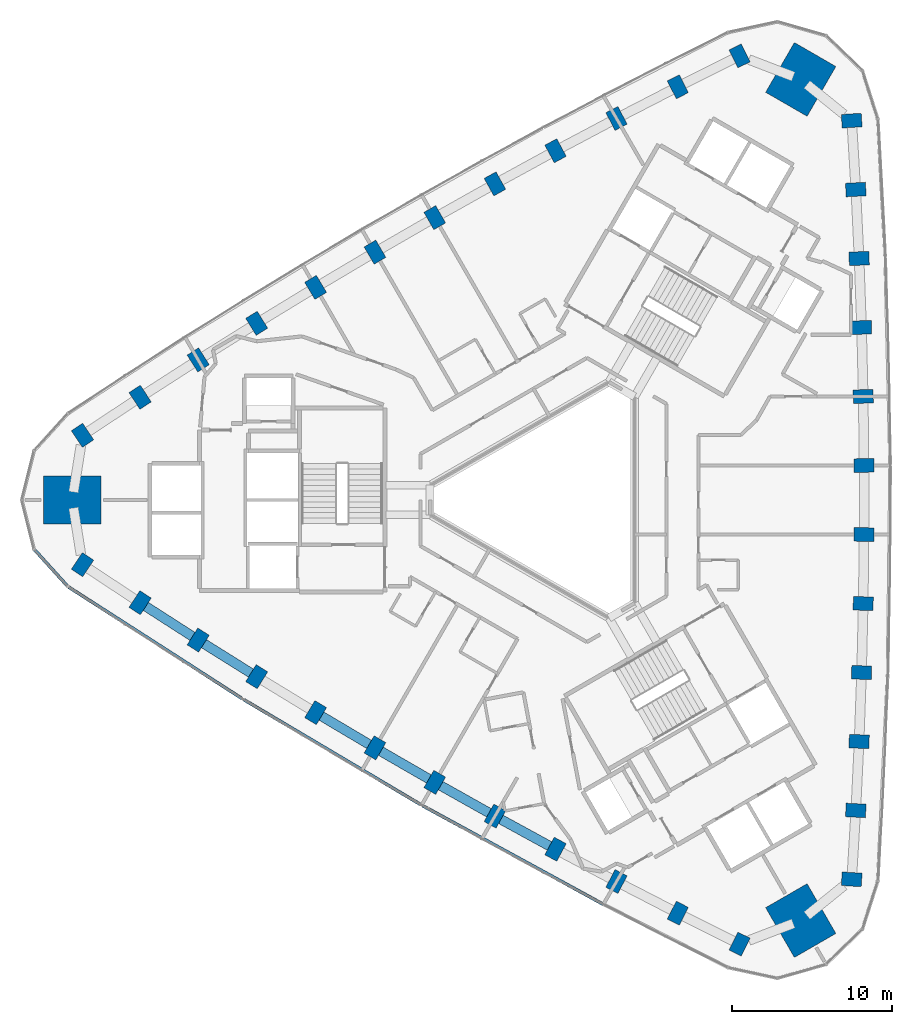
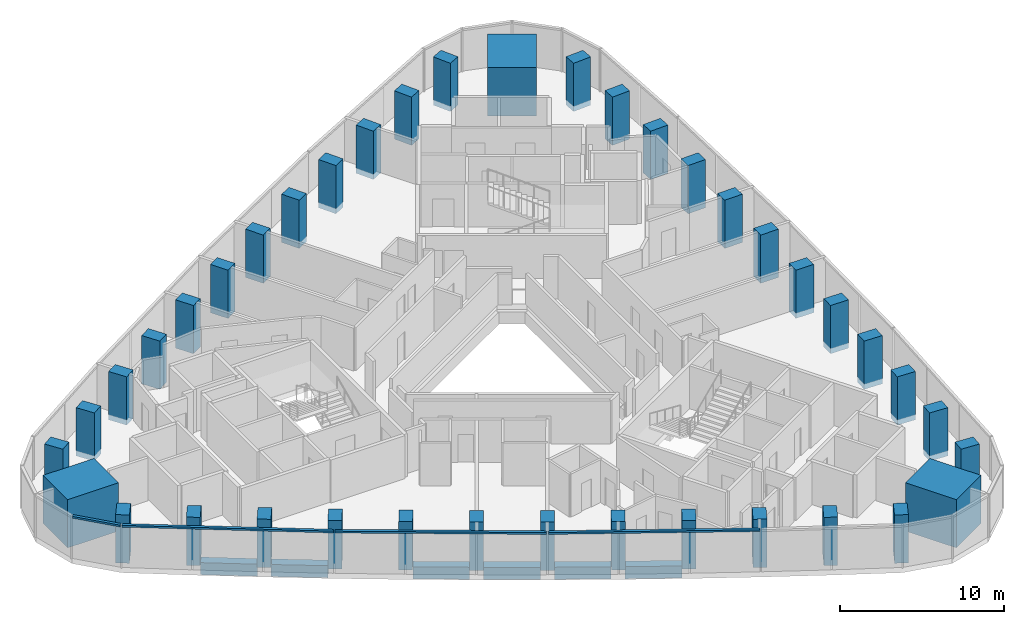
# One storey, part 1 of 13: 39 columns, 6 beams, 4 members, 2 elements without a shape of their own.
"""IFC4 building model written with IfcOpenShell, lengths in metres."""

from ifc_helpers import new_model, si_unit, direction, frame, origin, origin_2d, place, context, subcontext, project, spatial, rectangle, extrude, material, material_profile, profile_set, type_object, element, aggregate, save


model = new_model("IFC4")

# Units and contexts
model_context = context("Model", 3, precision=1e-05, world=origin(), true_north=direction((0.0, 1.0)))
body_context = subcontext(model_context, "Body", "Model", "MODEL_VIEW")
ifc_project = project(units=[si_unit("LENGTHUNIT", "METRE"), si_unit("AREAUNIT", "SQUARE_METRE"), si_unit("VOLUMEUNIT", "CUBIC_METRE"), si_unit("PLANEANGLEUNIT", "RADIAN"), si_unit("MASSUNIT", "GRAM", prefix="KILO")], contexts=[model_context])

# Site, building, storey
site_placement = place(None, origin())
site = spatial("IfcSite", under=ifc_project, at=site_placement, CompositionType="ELEMENT")
building_placement = place(site_placement, origin())
building = spatial("IfcBuilding", under=site, at=building_placement, Name="Tamra Quay Hotel Tower", CompositionType="ELEMENT")
storey_placement = place(building_placement, frame((0.0, 0.0, 132.39990234375)))
storey = spatial("IfcBuildingStorey", under=building, at=storey_placement, Name="L32", CompositionType="ELEMENT", Elevation=132.39990234375)

# Columns
ifc_material_1 = material(Name="Concrete M70", Category="concrete")
ifc_material_profile_1 = material_profile(ifc_material_1, rectangle(XDim=1.25, YDim=0.85009765625, at=origin_2d()), Name="COLUMN RC 850x1250 Z3")
ifc_profile_set_1 = profile_set([ifc_material_profile_1], Name="Concrete M70")
column_type_1 = type_object("IfcColumnType", Name="COLUMN RC 850x1250 Z3", PredefinedType="COLUMN", material=ifc_profile_set_1)
for number, where, z_axis, x_axis, name in (
    (1, (18.396728515625, -23.757080078125, -0.39990234375), (0.0, 0.0, 1.0), (-0.997857895766, 0.065418803553, 0.0), "COL-C3E01-L32"),
    (2, (18.654541015625, -19.4423828125, -0.39990234375), (0.0, 0.0, 1.0), (-0.998562324173, 0.053603029218, 0.0), "COL-C3E02-L32"),
    (3, (18.86083984375, -15.124267578125, -0.39990234375), (0.0, 0.0, 1.0), (-0.999109109653, 0.042201741775, 0.0), "COL-C3E03-L32"),
    (4, (19.015869140625, -10.8046875, -0.39990234375), (0.0, 0.0, 1.0), (-0.99955268585, 0.029906992649, 0.0), "COL-C3E04-L32"),
    (5, (19.119140625, -6.483642578125, -0.39990234375), (0.0, 0.0, 1.0), (-0.999845156469, 0.017597246518, 0.0), "COL-C3E05-L32"),
    (6, (19.1708984375, -2.1611328125, -0.39990234375), (0.0, 0.0, 1.0), (-0.999981031775, 0.006159227987, 0.0), "COL-C3E06-L32"),
    (7, (19.1708984375, 2.1611328125, -0.39990234375), (0.0, 0.0, 1.0), (0.999981031775, 0.006159227987, 0.0), "COL-C3E07-L32"),
    (8, (19.119140625, 6.483642578125, -0.39990234375), (0.0, 0.0, 1.0), (0.999845156469, 0.017597246518, 0.0), "COL-C3E08-L32"),
    (9, (19.015869140625, 10.8046875, -0.39990234375), (0.0, 0.0, 1.0), (0.99955268585, 0.029906992649, 0.0), "COL-C3E09-L32"),
    (10, (18.86083984375, 15.124267578125, -0.39990234375), (0.0, 0.0, 1.0), (0.999109109653, 0.042201741775, 0.0), "COL-C3E10-L32"),
    (11, (18.654541015625, 19.4423828125, -0.39990234375), (0.0, 0.0, 1.0), (0.998562324173, 0.053603029218, 0.0), "COL-C3E11-L32"),
    (12, (18.396728515625, 23.757080078125, -0.39990234375), (0.0, 0.0, 1.0), (0.997857895766, 0.065418803553, 0.0), "COL-C3E12-L32"),
    (13, (11.3759765625, 27.810546875, -0.39990234375), (0.0, 0.0, 1.0), (-0.44227460212, 0.896879688877, 0.0), "COL-C3NW01-L32"),
    (14, (7.51025390625, 25.87646484375, -0.39990234375), (0.0, 0.0, 1.0), (-0.452859577064, 0.891581854605, 0.0), "COL-C3NW02-L32"),
    (15, (3.66748046875, 23.896240234375, -0.39990234375), (0.0, 0.0, 1.0), (-0.463006774365, 0.886354740999, 0.0), "COL-C3NW03-L32"),
    (16, (-0.150634765625, 21.87060546875, -0.39990234375), (0.0, 0.0, 1.0), (-0.47387612754, 0.880591514692, 0.0), "COL-C3NW04-L32"),
    (17, (-3.944580078125, 19.799560546875, -0.39990234375), (0.0, 0.0, 1.0), (-0.484682915713, 0.874689928612, 0.0), "COL-C3NW05-L32"),
    (18, (-7.7138671875, 17.68310546875, -0.39990234375), (0.0, 0.0, 1.0), (-0.494656467983, 0.869088590813, 0.0), "COL-C3NW06-L32"),
    (19, (-11.45703125, 15.521728515625, -0.39990234375), (0.0, 0.0, 1.0), (-0.505324563792, 0.862929362827, 0.0), "COL-C3NW07-L32"),
    (20, (-15.174560546875, 13.31591796875, -0.39990234375), (0.0, 0.0, 1.0), (-0.515162240756, 0.857092682094, 0.0), "COL-C3NW08-L32"),
    (21, (-18.864990234375, 11.06591796875, -0.39990234375), (0.0, 0.0, 1.0), (-0.52567655831, 0.850684522043, 0.0), "COL-C3NW09-L32"),
    (22, (-22.528564453125, 8.771728515625, -0.39990234375), (0.0, 0.0, 1.0), (-0.536102335288, 0.844152999224, 0.0), "COL-C3NW10-L32"),
    (23, (-26.164794921875, 6.43408203125, -0.39990234375), (0.0, 0.0, 1.0), (-0.545702747109, 0.837978825387, 0.0), "COL-C3NW11-L32"),
    (24, (-29.772705078125, 4.053466796875, -0.39990234375), (0.0, 0.0, 1.0), (-0.555583293645, 0.831460885323, 0.0), "COL-C3NW12-L32"),
    (25, (-29.772705078125, -4.053466796875, -0.39990234375), (0.0, 0.0, 1.0), (0.555583293645, 0.831460885323, 0.0), "COL-C3SW01-L32"),
    (26, (-26.164794921875, -6.43408203125, -0.39990234375), (0.0, 0.0, 1.0), (0.545702747109, 0.837978825387, 0.0), "COL-C3SW02-L32"),
    (27, (-22.528564453125, -8.771728515625, -0.39990234375), (0.0, 0.0, 1.0), (0.536102335288, 0.844152999224, 0.0), "COL-C3SW03-L32"),
    (28, (-18.864990234375, -11.06591796875, -0.39990234375), (0.0, 0.0, 1.0), (0.52567655831, 0.850684522043, 0.0), "COL-C3SW04-L32"),
    (29, (-15.174560546875, -13.31591796875, -0.39990234375), (0.0, 0.0, 1.0), (0.515162240756, 0.857092682094, 0.0), "COL-C3SW05-L32"),
    (30, (-11.45703125, -15.521728515625, -0.39990234375), (0.0, 0.0, 1.0), (0.505324563792, 0.862929362827, 0.0), "COL-C3SW06-L32"),
    (31, (-7.7138671875, -17.68310546875, -0.39990234375), (0.0, 0.0, 1.0), (0.494656467983, 0.869088590813, 0.0), "COL-C3SW07-L32"),
    (32, (-3.944580078125, -19.799560546875, -0.39990234375), (0.0, 0.0, 1.0), (0.484682915713, 0.874689928612, 0.0), "COL-C3SW08-L32"),
    (33, (-0.150634765625, -21.87060546875, -0.39990234375), (0.0, 0.0, 1.0), (0.47387612754, 0.880591514692, 0.0), "COL-C3SW09-L32"),
    (34, (3.66748046875, -23.896240234375, -0.39990234375), (0.0, 0.0, 1.0), (0.463006774365, 0.886354740999, 0.0), "COL-C3SW10-L32"),
    (35, (7.51025390625, -25.87646484375, -0.39990234375), (0.0, 0.0, 1.0), (0.452859577064, 0.891581854605, 0.0), "COL-C3SW11-L32"),
    (36, (11.3759765625, -27.810546875, -0.39990234375), (0.0, 0.0, 1.0), (0.44227460212, 0.896879688877, 0.0), "COL-C3SW12-L32"),
):
    element("IfcColumn", number, at=place(storey_placement, frame(where, z_axis=z_axis, x_axis=x_axis)), inside=storey, type_object=column_type_1, Name=name, PredefinedType="COLUMN", context=body_context, shape_type="SweptSolid", body=[
        extrude(rectangle(XDim=1.25, YDim=0.85009765625, at=origin_2d()), origin(), (0.0, 0.0, 1.0), 3.60009765625),
    ])
ifc_material_profile_2 = material_profile(ifc_material_1, rectangle(XDim=3.60009765625, YDim=3.0, at=origin_2d()), Name="MEGA COLUMN RC 3000x3600 Z3")
ifc_profile_set_2 = profile_set([ifc_material_profile_2], Name="Concrete M70")
column_type_2 = type_object("IfcColumnType", Name="MEGA COLUMN RC 3000x3600 Z3", PredefinedType="COLUMN", material=ifc_profile_set_2)
for number, where, z_axis, x_axis, name in (
    (37, (15.20703125, 26.339599609375, -0.39990234375), (0.0, 0.0, 1.0), (0.5, 0.866025403784, 0.0), "COL-M3NE-L32"),
    (38, (-30.414306640625, 0.0, -0.39990234375), (0.0, 0.0, 1.0), (1.0, 0.0, 0.0), "COL-M3W-L32"),
    (39, (15.20703125, -26.339599609375, -0.39990234375), (0.0, 0.0, 1.0), (-0.5, 0.866025403784, 0.0), "COL-M3SE-L32"),
):
    element("IfcColumn", number, at=place(storey_placement, frame(where, z_axis=z_axis, x_axis=x_axis)), inside=storey, type_object=column_type_2, Name=name, PredefinedType="COLUMN", context=body_context, shape_type="SweptSolid", body=[
        extrude(rectangle(XDim=3.60009765625, YDim=3.0, at=origin_2d()), origin(), (0.0, 0.0, 1.0), 3.60009765625),
    ])

# Beams
ifc_material_2 = material(Name="Concrete M60", Category="concrete")
ifc_material_profile_3 = material_profile(ifc_material_2, rectangle(XDim=0.60009765625, YDim=0.89990234375, at=origin_2d()), Name="SPANDREL BEAM RC 600x900")
ifc_profile_set_3 = profile_set([ifc_material_profile_3], Name="Concrete M60")
beam_type = type_object("IfcBeamType", Name="SPANDREL BEAM RC 600x900", PredefinedType="SPANDREL", material=ifc_profile_set_3)
beam_1_placement = place(storey_placement, frame((-25.807373046875, -6.663818359375, -0.849853515625), z_axis=(0.84116020305, -0.540786013878, 0.0), x_axis=(0.540786013878, 0.84116020305, 0.0)))
element("IfcBeam", 40, at=beam_1_placement, inside=storey, type_object=beam_type, Name="BM-SP3-027-L32", PredefinedType="SPANDREL", context=body_context, shape_type="SweptSolid", body=[
    extrude(rectangle(XDim=0.60009765625, YDim=0.89990234375, at=origin_2d()), origin(), (0.0, 0.0, 1.0), 3.47314453125),
])
beam_2_placement = place(storey_placement, frame((-22.168212890625, -8.997314453125, -0.849853515625), z_axis=(0.847547681474, -0.530719255, 0.0), x_axis=(0.530719255, 0.847547681474, 0.0)))
element("IfcBeam", 41, at=beam_2_placement, inside=storey, type_object=beam_type, Name="BM-SP3-028-L32", PredefinedType="SPANDREL", context=body_context, shape_type="SweptSolid", body=[
    extrude(rectangle(XDim=0.60009765625, YDim=0.89990234375, at=origin_2d()), origin(), (0.0, 0.0, 1.0), 3.47216796875),
])
beam_3_placement = place(storey_placement, frame((-14.80908203125, -13.53271484375, -0.849853515625), z_axis=(0.859988767784, -0.510312962098, 0.0), x_axis=(0.510312962098, 0.859988767784, 0.0)))
element("IfcBeam", 42, at=beam_3_placement, inside=storey, type_object=beam_type, Name="BM-SP3-030-L32", PredefinedType="SPANDREL", context=body_context, shape_type="SweptSolid", body=[
    extrude(rectangle(XDim=0.60009765625, YDim=0.89990234375, at=origin_2d()), origin(), (0.0, 0.0, 1.0), 3.472900390625),
])
beam_4_placement = place(storey_placement, frame((-11.0888671875, -15.734375, -0.849853515625), z_axis=(0.866032201241, -0.499988226275, 0.0), x_axis=(0.499988226275, 0.866032201241, 0.0)))
element("IfcBeam", 43, at=beam_4_placement, inside=storey, type_object=beam_type, Name="BM-SP3-031-L32", PredefinedType="SPANDREL", context=body_context, shape_type="SweptSolid", body=[
    extrude(rectangle(XDim=0.60009765625, YDim=0.89990234375, at=origin_2d()), origin(), (0.0, 0.0, 1.0), 3.47216796875),
])
beam_5_placement = place(storey_placement, frame((-7.34326171875, -17.89111328125, -0.849853515625), z_axis=(0.871956406858, -0.489583521516, 0.0), x_axis=(0.489583521516, 0.871956406858, 0.0)))
element("IfcBeam", 44, at=beam_5_placement, inside=storey, type_object=beam_type, Name="BM-SP3-032-L32", PredefinedType="SPANDREL", context=body_context, shape_type="SweptSolid", body=[
    extrude(rectangle(XDim=0.60009765625, YDim=0.89990234375, at=origin_2d()), origin(), (0.0, 0.0, 1.0), 3.47265625),
])
beam_6_placement = place(storey_placement, frame((-3.571533203125, -20.003173828125, -0.849853515625), z_axis=(0.877731617539, -0.479152593202, 0.0), x_axis=(0.479152593202, 0.877731617539, 0.0)))
element("IfcBeam", 45, at=beam_6_placement, inside=storey, type_object=beam_type, Name="BM-SP3-033-L32", PredefinedType="SPANDREL", context=body_context, shape_type="SweptSolid", body=[
    extrude(rectangle(XDim=0.60009765625, YDim=0.89990234375, at=origin_2d()), origin(), (0.0, 0.0, 1.0), 3.472412109375),
])

# Curtain wall, member
ifc_material_3 = material(Name="Aluminium 6063 anodised dark grey", Category="aluminium")
curtain_wall_type_1 = type_object("IfcCurtainWallType", Name="CW2 CURTAIN WALL", PredefinedType="NOTDEFINED", material=ifc_material_3)
curtain_wall_1_placement = place(storey_placement, origin())
curtain_wall_1 = element("IfcCurtainWall", 46, at=curtain_wall_1_placement, inside=storey, type_object=curtain_wall_type_1, Name="CW2 north-west face L32", PredefinedType="NOTDEFINED")
ifc_material_profile_4 = material_profile(ifc_material_3, rectangle(XDim=0.199951171875, YDim=0.139892578125, at=origin_2d()), Name="TRANSOM 200X140")
ifc_profile_set_4 = profile_set([ifc_material_profile_4], Name="Aluminium 6063 anodised dark grey")
member_type_1 = type_object("IfcMemberType", Name="TRANSOM CW2 Z3", PredefinedType="USERDEFINED", material=ifc_profile_set_4)
member_1_placement = place(storey_placement, frame((-32.784423828125, -3.1123046875, 3.130126953125), z_axis=(0.671548073699, -0.740960987307, 0.0), x_axis=(0.740960987307, 0.671548073699, 0.0)))
member_1 = element("IfcMember", 47, at=member_1_placement, type_object=member_type_1, Name="CW2 transom L32.NW.15", ObjectType="TRANSOM", PredefinedType="USERDEFINED", context=body_context, shape_type="SweptSolid", body=[
    extrude(rectangle(XDim=0.199951171875, YDim=0.139892578125, at=origin_2d()), origin(), (0.0, 0.0, 1.0), 3.070556640625),
])
aggregate(curtain_wall_1, [member_1])

# Curtain wall, members
curtain_wall_type_2 = type_object("IfcCurtainWallType", Name="CW3 CURTAIN WALL", PredefinedType="NOTDEFINED", material=ifc_material_3)
curtain_wall_2_placement = place(storey_placement, origin())
curtain_wall_2 = element("IfcCurtainWall", 48, at=curtain_wall_2_placement, inside=storey, type_object=curtain_wall_type_2, Name="CW3 south-west face L32", PredefinedType="NOTDEFINED")
ifc_material_profile_5 = material_profile(ifc_material_3, rectangle(XDim=0.199951171875, YDim=0.139892578125, at=origin_2d()), Name="TRANSOM 200X140")
ifc_profile_set_5 = profile_set([ifc_material_profile_5], Name="Aluminium 6063 anodised dark grey")
member_type_2 = type_object("IfcMemberType", Name="TRANSOM CW3 Z3", PredefinedType="USERDEFINED", material=ifc_profile_set_5)
member_2_placement = place(storey_placement, frame((-30.647216796875, -5.451904296875, 3.130126953125), z_axis=(0.841166815222, -0.540775728901, 0.0), x_axis=(0.540775728901, 0.841166815222, 0.0)))
member_2 = element("IfcMember", 49, at=member_2_placement, type_object=member_type_2, Name="CW3 transom L32.SW.1", ObjectType="TRANSOM", PredefinedType="USERDEFINED", context=body_context, shape_type="SweptSolid", body=[
    extrude(rectangle(XDim=0.199951171875, YDim=0.139892578125, at=origin_2d()), origin(), (0.0, 0.0, 1.0), 12.92578125),
])
member_3_placement = place(storey_placement, frame((-19.689208984375, -12.49462890625, 3.130126953125), z_axis=(0.859989187886, -0.510312254134, 0.0), x_axis=(0.510312254134, 0.859989187886, 0.0)))
member_3 = element("IfcMember", 50, at=member_3_placement, type_object=member_type_2, Name="CW3 transom L32.SW.4", ObjectType="TRANSOM", PredefinedType="USERDEFINED", context=body_context, shape_type="SweptSolid", body=[
    extrude(rectangle(XDim=0.199951171875, YDim=0.139892578125, at=origin_2d()), origin(), (0.0, 0.0, 1.0), 12.92626953125),
])
member_4_placement = place(storey_placement, frame((-8.48583984375, -19.140625, 3.130126953125), z_axis=(0.877731670987, -0.479152495293, 0.0), x_axis=(0.479152495293, 0.877731670987, 0.0)))
member_4 = element("IfcMember", 51, at=member_4_placement, type_object=member_type_2, Name="CW3 transom L32.SW.7", ObjectType="TRANSOM", PredefinedType="USERDEFINED", context=body_context, shape_type="SweptSolid", body=[
    extrude(rectangle(XDim=0.199951171875, YDim=0.139892578125, at=origin_2d()), origin(), (0.0, 0.0, 1.0), 12.92626953125),
])
aggregate(curtain_wall_2, [member_2, member_3, member_4])

save(model, "model.ifc")
